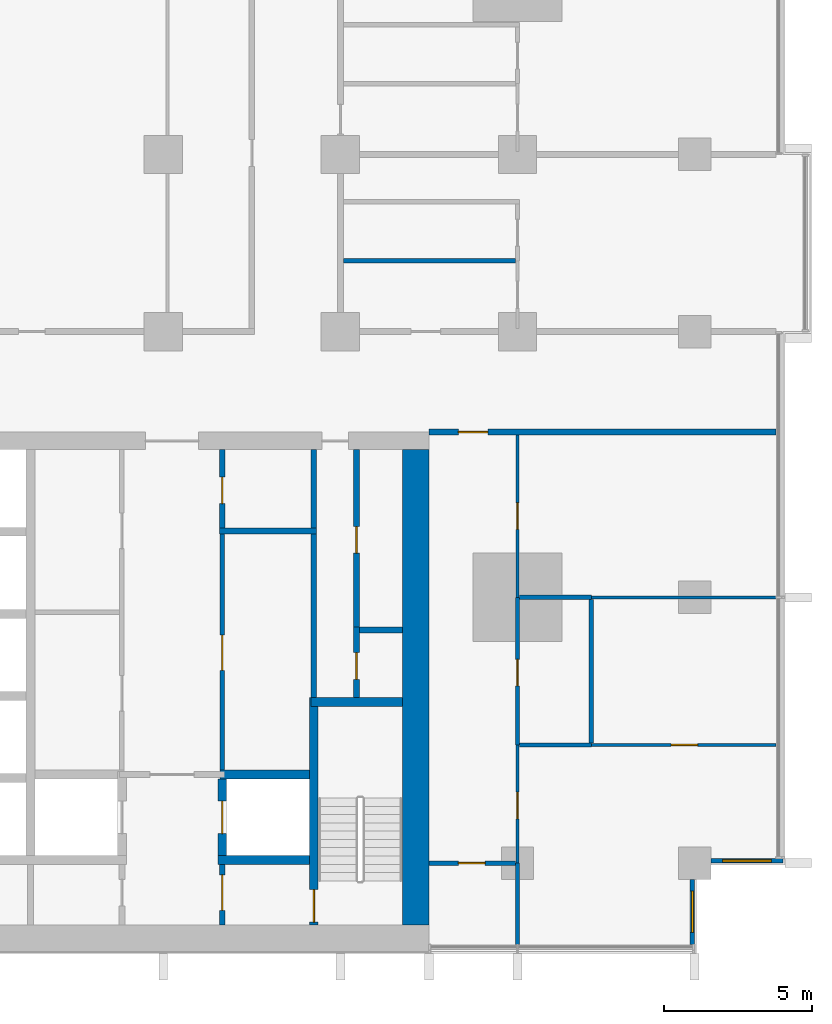
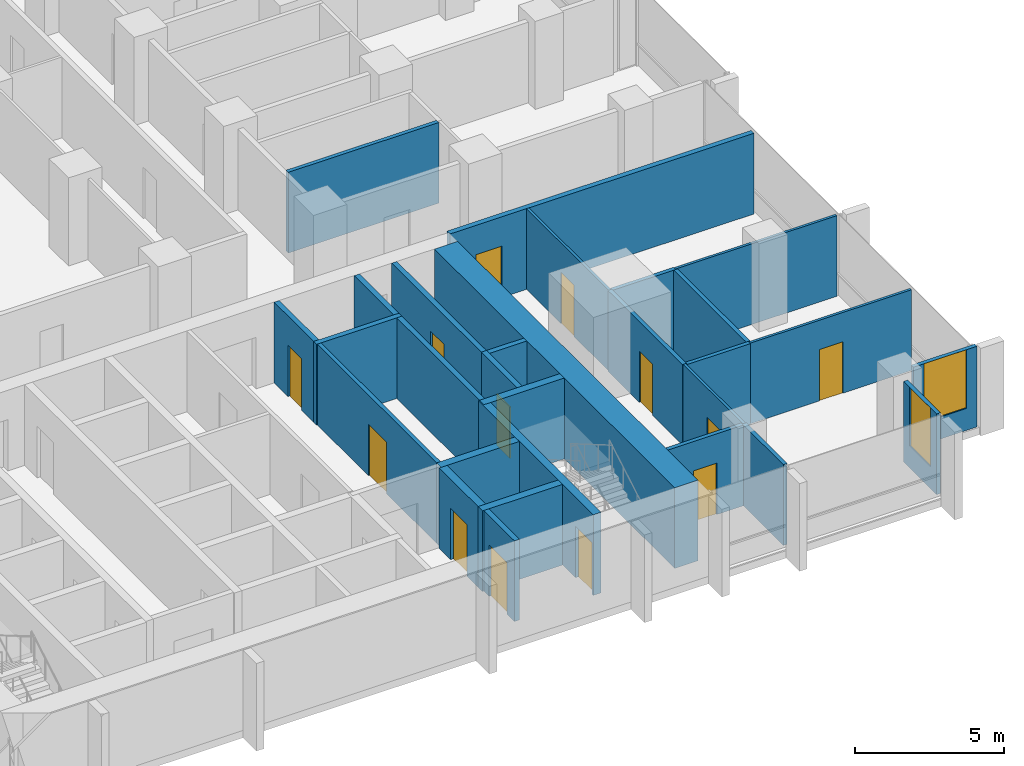
# One storey, part 9 of 18: 29 walls, 13 doors, 2 windows, 15 openings.
"""IFC4 building model written with IfcOpenShell, lengths in metres."""

from ifc_helpers import new_model, si_unit, direction, frame, frame_2d, origin, place, context, subcontext, project, spatial, rectangle, extrude, material, layer, layer_set, type_object, element, fill, save


model = new_model("IFC4")

# Units and contexts
model_context = context("Model", 3, precision=1e-05, world=origin(), true_north=direction((0.0, 1.0)))
body_context = subcontext(model_context, "Body", "Model", "MODEL_VIEW")
ifc_project = project(units=[si_unit("LENGTHUNIT", "METRE"), si_unit("AREAUNIT", "SQUARE_METRE"), si_unit("VOLUMEUNIT", "CUBIC_METRE"), si_unit("PLANEANGLEUNIT", "RADIAN"), si_unit("MASSUNIT", "GRAM", prefix="KILO")], contexts=[model_context])

# Site, building, storey
site_placement = place(None, origin())
site = spatial("IfcSite", under=ifc_project, at=site_placement, CompositionType="ELEMENT")
building_placement = place(site_placement, origin())
building = spatial("IfcBuilding", under=site, at=building_placement, Name="Finial Court Residences", CompositionType="ELEMENT")
storey_placement = place(building_placement, frame((0.0, 0.0, 57.699951171875)))
storey = spatial("IfcBuildingStorey", under=building, at=storey_placement, Name="L13", CompositionType="ELEMENT", Elevation=57.699951171875)

# Wall
ifc_material_1 = material(Name="Concrete C80/95", Category="concrete")
ifc_layer_1 = layer(ifc_material_1, 0.89990234375)
ifc_layer_set_1 = layer_set([ifc_layer_1], Name="Core outer wall 900 Concrete C80/95")
wall_type_1 = type_object("IfcWallType", Name="Core outer wall 900 Concrete C80/95", PredefinedType="SHEAR", material=ifc_layer_set_1)
wall_1_placement = place(storey_placement, frame((13.050048828125, -24.60009765625, 0.0), z_axis=(0.0, 0.0, 1.0), x_axis=(0.0, 1.0, 0.0)))
element("IfcWall", 1, at=wall_1_placement, inside=storey, type_object=wall_type_1, Name="Core outer wall L13-04", PredefinedType="SHEAR", context=body_context, shape_type="SweptSolid", body=[
    extrude(rectangle(XDim=16.10009765625, YDim=0.89990234375, at=frame_2d((8.050048828125, 0.0))), origin(), (0.0, 0.0, 1.0), 3.300048828125),
])

# Wall, opening, door
ifc_material_2 = material(Name="Fire-rated gypsum board partition")
ifc_layer_2 = layer(ifc_material_2, 0.14990234375)
ifc_layer_set_2 = layer_set([ifc_layer_2], Name="Core room partition 150 EI 60")
wall_type_2 = type_object("IfcWallType", Name="Core room partition 150 EI 60", PredefinedType="PARTITIONING", material=ifc_layer_set_2)
wall_2_placement = place(storey_placement, frame((6.5, -11.35009765625, 0.0), z_axis=(0.0, 0.0, 1.0), x_axis=(0.0, -1.0, 0.0)))
wall_2 = element("IfcWall", 2, at=wall_2_placement, inside=storey, type_object=wall_type_2, Name="Core partition L13-32", PredefinedType="PARTITIONING", context=body_context, shape_type="SweptSolid", body=[
    extrude(rectangle(XDim=8.0, YDim=0.14990234375, at=frame_2d((4.0, 0.0))), origin(), (0.0, 0.0, 1.0), 3.300048828125),
])
opening_1_placement = place(wall_2_placement, frame((3.425048828125, 0.0, 0.0)))
opening_1 = element("IfcOpeningElement", 3, at=opening_1_placement, cuts=wall_2, Name="Opening L13-C14", PredefinedType="OPENING", context=body_context, shape_type="SweptSolid", body=[
    extrude(rectangle(XDim=1.199951171875, YDim=2.10009765625, at=frame_2d((0.60009765625, 1.050048828125))), frame((0.0, 0.0849609375, 0.0), z_axis=(0.0, -1.0, 0.0), x_axis=(1.0, 0.0, 0.0)), (0.0, 0.0, 1.0), 0.169921875),
])
ifc_material_3 = material(Name="Steel fire door", Category="steel")
door_type_1 = type_object("IfcDoorType", Name="Core room door 1200 x 2100 EI 60", OperationType="NOTDEFINED", PredefinedType="DOOR", material=ifc_material_3)
door_1_placement = place(opening_1_placement, origin())
door_1 = element("IfcDoor", 4, at=door_1_placement, inside=storey, type_object=door_type_1, Name="Core room door L13-C14", OperationType="SINGLE_SWING_RIGHT", OverallHeight=2.10009765625, OverallWidth=1.199951171875, PredefinedType="DOOR", context=body_context, shape_type="SweptSolid", body=[
    extrude(rectangle(XDim=1.199951171875, YDim=2.10009765625, at=frame_2d((0.60009765625, 1.050048828125))), frame((0.0, 0.02490234375, 0.0), z_axis=(0.0, -1.0, 0.0), x_axis=(1.0, 0.0, 0.0)), (0.0, 0.0, 1.0), 0.050048828125),
])
fill(opening_1, door_1)

ifc_material_4 = material(Name="Gypsum board")
ifc_layer_3 = layer(ifc_material_4, 0.02490234375)
ifc_material_5 = material(Name="Acoustic mineral wool in double frame")
ifc_layer_4 = layer(ifc_material_5, 0.14990234375)
ifc_layer_5 = layer(ifc_material_4, 0.02490234375)
ifc_layer_set_3 = layer_set([ifc_layer_3, ifc_layer_4, ifc_layer_5], Name="Corridor wall 200, 1 hour")
wall_type_3 = type_object("IfcWallType", Name="Corridor wall 200, 1 hour", PredefinedType="PARTITIONING", material=ifc_layer_set_3)
wall_3_placement = place(storey_placement, frame((13.5, -7.89990234375, 0.0), z_axis=(0.0, 0.0, 1.0), x_axis=(1.0, 0.0, 0.0)))
wall_3 = element("IfcWall", 5, at=wall_3_placement, inside=storey, type_object=wall_type_3, Name="Partition L13-011", PredefinedType="PARTITIONING", context=body_context, shape_type="SweptSolid", body=[
    extrude(rectangle(XDim=11.75, YDim=0.199951171875, at=frame_2d((5.875, 0.0))), origin(), (0.0, 0.0, 1.0), 3.300048828125),
])
opening_2_placement = place(wall_3_placement, frame((1.0, 0.0, 0.0)))
opening_2 = element("IfcOpeningElement", 6, at=opening_2_placement, cuts=wall_3, Name="Opening L13-D006", PredefinedType="OPENING", context=body_context, shape_type="SweptSolid", body=[
    extrude(rectangle(XDim=1.0, YDim=2.10009765625, at=frame_2d((0.5, 1.050048828125))), frame((0.0, 0.10986328125, 0.0), z_axis=(0.0, -1.0, 0.0), x_axis=(1.0, 0.0, 0.0)), (0.0, 0.0, 1.0), 0.219970703125),
])
ifc_material_6 = material(Name="Timber door leaf in hollow metal frame", Category="wood")
door_type_2 = type_object("IfcDoorType", Name="Fire door set 1000 x 2100, 30 minutes", OperationType="SINGLE_SWING_LEFT", PredefinedType="DOOR", material=ifc_material_6)
door_2_placement = place(opening_2_placement, origin())
door_2 = element("IfcDoor", 7, at=door_2_placement, inside=storey, type_object=door_type_2, Name="Door L13-D006", OperationType="SINGLE_SWING_LEFT", OverallHeight=2.10009765625, OverallWidth=1.0, PredefinedType="DOOR", context=body_context, shape_type="SweptSolid", body=[
    extrude(rectangle(XDim=1.0, YDim=2.10009765625, at=frame_2d((0.5, 1.050048828125))), frame((0.0, 0.02490234375, 0.0), z_axis=(0.0, -1.0, 0.0), x_axis=(1.0, 0.0, 0.0)), (0.0, 0.0, 1.0), 0.050048828125),
])
fill(opening_2, door_2)

ifc_layer_6 = layer(ifc_material_2, 0.199951171875)
ifc_layer_set_4 = layer_set([ifc_layer_6], Name="Firefighting lobby wall 200 EI 120")
wall_type_4 = type_object("IfcWallType", Name="Firefighting lobby wall 200 EI 120", PredefinedType="PARTITIONING", material=ifc_layer_set_4)
wall_4_placement = place(storey_placement, frame((6.5, -22.550048828125, 0.0), z_axis=(0.0, 0.0, 1.0), x_axis=(0.0, -1.0, 0.0)))
wall_4 = element("IfcWall", 8, at=wall_4_placement, inside=storey, type_object=wall_type_4, Name="Core partition L13-30", PredefinedType="PARTITIONING", context=body_context, shape_type="SweptSolid", body=[
    extrude(rectangle(XDim=2.050048828125, YDim=0.199951171875, at=frame_2d((1.02490234375, 0.0))), origin(), (0.0, 0.0, 1.0), 3.300048828125),
])
opening_3_placement = place(wall_4_placement, frame((0.35009765625, 0.0, 0.0)))
opening_3 = element("IfcOpeningElement", 9, at=opening_3_placement, cuts=wall_4, Name="Opening L13-C01", PredefinedType="OPENING", context=body_context, shape_type="SweptSolid", body=[
    extrude(rectangle(XDim=1.199951171875, YDim=2.10009765625, at=frame_2d((0.60009765625, 1.050048828125))), frame((0.0, 0.10986328125, 0.0), z_axis=(0.0, -1.0, 0.0), x_axis=(1.0, 0.0, 0.0)), (0.0, 0.0, 1.0), 0.219970703125),
])
door_type_3 = type_object("IfcDoorType", Name="Firefighting lobby door 1200 x 2100 EI 90", OperationType="NOTDEFINED", PredefinedType="DOOR", material=ifc_material_3)
door_3_placement = place(opening_3_placement, origin())
door_3 = element("IfcDoor", 10, at=door_3_placement, inside=storey, type_object=door_type_3, Name="Firefighting lobby door L13-C01", OperationType="SINGLE_SWING_RIGHT", OverallHeight=2.10009765625, OverallWidth=1.199951171875, PredefinedType="DOOR", context=body_context, shape_type="SweptSolid", body=[
    extrude(rectangle(XDim=1.199951171875, YDim=2.10009765625, at=frame_2d((0.60009765625, 1.050048828125))), frame((0.0, 0.02490234375, 0.0), z_axis=(0.0, -1.0, 0.0), x_axis=(1.0, 0.0, 0.0)), (0.0, 0.0, 1.0), 0.050048828125),
])
fill(opening_3, door_3)

ifc_layer_7 = layer(ifc_material_4, 0.012451171875)
ifc_material_7 = material(Name="Mineral wool in light-gauge frame")
ifc_layer_8 = layer(ifc_material_7, 0.074951171875)
ifc_layer_9 = layer(ifc_material_4, 0.012451171875)
ifc_layer_set_5 = layer_set([ifc_layer_7, ifc_layer_8, ifc_layer_9], Name="Gypsum board partition 100")
wall_type_5 = type_object("IfcWallType", Name="Gypsum board partition 100", PredefinedType="PARTITIONING", material=ifc_layer_set_5)
wall_5_placement = place(storey_placement, frame((19.0, -18.5, 0.0), z_axis=(0.0, 0.0, 1.0), x_axis=(1.0, 0.0, 0.0)))
wall_5 = element("IfcWall", 11, at=wall_5_placement, inside=storey, type_object=wall_type_5, Name="Partition L13-003", PredefinedType="PARTITIONING", context=body_context, shape_type="SweptSolid", body=[
    extrude(rectangle(XDim=6.25, YDim=0.10009765625, at=frame_2d((3.125, 0.0))), origin(), (0.0, 0.0, 1.0), 3.300048828125),
])
opening_4_placement = place(wall_5_placement, frame((2.699951171875, 0.0, 0.0)))
opening_4 = element("IfcOpeningElement", 12, at=opening_4_placement, cuts=wall_5, Name="Opening L13-D004", PredefinedType="OPENING", context=body_context, shape_type="SweptSolid", body=[
    extrude(rectangle(XDim=0.89990234375, YDim=2.10009765625, at=frame_2d((0.449951171875, 1.050048828125))), frame((0.0, 0.06005859375, 0.0), z_axis=(0.0, -1.0, 0.0), x_axis=(1.0, 0.0, 0.0)), (0.0, 0.0, 1.0), 0.1201171875),
])
ifc_material_8 = material(Name="Timber door leaf in timber frame", Category="wood")
door_type_4 = type_object("IfcDoorType", Name="Door set 900 x 2100", OperationType="SINGLE_SWING_LEFT", PredefinedType="DOOR", material=ifc_material_8)
door_4_placement = place(opening_4_placement, origin())
door_4 = element("IfcDoor", 13, at=door_4_placement, inside=storey, type_object=door_type_4, Name="Door L13-D004", OperationType="SINGLE_SWING_LEFT", OverallHeight=2.10009765625, OverallWidth=0.89990234375, PredefinedType="DOOR", context=body_context, shape_type="SweptSolid", body=[
    extrude(rectangle(XDim=0.89990234375, YDim=2.10009765625, at=frame_2d((0.449951171875, 1.050048828125))), frame((0.0, 0.02490234375, 0.0), z_axis=(0.0, -1.0, 0.0), x_axis=(1.0, 0.0, 0.0)), (0.0, 0.0, 1.0), 0.050048828125),
])
fill(opening_4, door_4)

# Wall
wall_6_placement = place(storey_placement, frame((19.0, -13.5, 0.0), z_axis=(0.0, 0.0, 1.0), x_axis=(1.0, 0.0, 0.0)))
element("IfcWall", 14, at=wall_6_placement, inside=storey, type_object=wall_type_5, Name="Partition L13-007", PredefinedType="PARTITIONING", context=body_context, shape_type="SweptSolid", body=[
    extrude(rectangle(XDim=6.25, YDim=0.10009765625, at=frame_2d((3.125, 0.0))), origin(), (0.0, 0.0, 1.0), 3.300048828125),
])

# Wall, opening, door
wall_7_placement = place(storey_placement, frame((16.5, -22.5, 0.0), z_axis=(0.0, 0.0, 1.0), x_axis=(0.0, 1.0, 0.0)))
wall_7 = element("IfcWall", 15, at=wall_7_placement, inside=storey, type_object=wall_type_5, Name="Partition L13-094", PredefinedType="PARTITIONING", context=body_context, shape_type="SweptSolid", body=[
    extrude(rectangle(XDim=4.0, YDim=0.10009765625, at=frame_2d((2.0, 0.0))), origin(), (0.0, 0.0, 1.0), 3.300048828125),
])
opening_5_placement = place(wall_7_placement, frame((1.5, 0.0, 0.0)))
opening_5 = element("IfcOpeningElement", 16, at=opening_5_placement, cuts=wall_7, Name="Opening L13-D054", PredefinedType="OPENING", context=body_context, shape_type="SweptSolid", body=[
    extrude(rectangle(XDim=0.89990234375, YDim=2.10009765625, at=frame_2d((0.449951171875, 1.050048828125))), frame((0.0, 0.06005859375, 0.0), z_axis=(0.0, -1.0, 0.0), x_axis=(1.0, 0.0, 0.0)), (0.0, 0.0, 1.0), 0.1201171875),
])
door_5_placement = place(opening_5_placement, origin())
door_5 = element("IfcDoor", 17, at=door_5_placement, inside=storey, type_object=door_type_4, Name="Door L13-D054", OperationType="SINGLE_SWING_LEFT", OverallHeight=2.10009765625, OverallWidth=0.89990234375, PredefinedType="DOOR", context=body_context, shape_type="SweptSolid", body=[
    extrude(rectangle(XDim=0.89990234375, YDim=2.10009765625, at=frame_2d((0.449951171875, 1.050048828125))), frame((0.0, 0.02490234375, 0.0), z_axis=(0.0, -1.0, 0.0), x_axis=(1.0, 0.0, 0.0)), (0.0, 0.0, 1.0), 0.050048828125),
])
fill(opening_5, door_5)

wall_8_placement = place(storey_placement, frame((16.5, -13.5, 0.0), z_axis=(0.0, 0.0, 1.0), x_axis=(0.0, 1.0, 0.0)))
wall_8 = element("IfcWall", 18, at=wall_8_placement, inside=storey, type_object=wall_type_5, Name="Partition L13-095", PredefinedType="PARTITIONING", context=body_context, shape_type="SweptSolid", body=[
    extrude(rectangle(XDim=5.5, YDim=0.10009765625, at=frame_2d((2.75, 0.0))), origin(), (0.0, 0.0, 1.0), 3.300048828125),
])
opening_6_placement = place(wall_8_placement, frame((2.300048828125, 0.0, 0.0)))
opening_6 = element("IfcOpeningElement", 19, at=opening_6_placement, cuts=wall_8, Name="Opening L13-D055", PredefinedType="OPENING", context=body_context, shape_type="SweptSolid", body=[
    extrude(rectangle(XDim=0.89990234375, YDim=2.10009765625, at=frame_2d((0.449951171875, 1.050048828125))), frame((0.0, 0.06005859375, 0.0), z_axis=(0.0, -1.0, 0.0), x_axis=(1.0, 0.0, 0.0)), (0.0, 0.0, 1.0), 0.1201171875),
])
door_6_placement = place(opening_6_placement, origin())
door_6 = element("IfcDoor", 20, at=door_6_placement, inside=storey, type_object=door_type_4, Name="Door L13-D055", OperationType="SINGLE_SWING_LEFT", OverallHeight=2.10009765625, OverallWidth=0.89990234375, PredefinedType="DOOR", context=body_context, shape_type="SweptSolid", body=[
    extrude(rectangle(XDim=0.89990234375, YDim=2.10009765625, at=frame_2d((0.449951171875, 1.050048828125))), frame((0.0, 0.02490234375, 0.0), z_axis=(0.0, -1.0, 0.0), x_axis=(1.0, 0.0, 0.0)), (0.0, 0.0, 1.0), 0.050048828125),
])
fill(opening_6, door_6)

ifc_material_9 = material(Name="Moisture-resistant gypsum board")
ifc_layer_10 = layer(ifc_material_9, 0.012451171875)
ifc_layer_11 = layer(ifc_material_7, 0.125)
ifc_layer_12 = layer(ifc_material_9, 0.012451171875)
ifc_layer_set_6 = layer_set([ifc_layer_10, ifc_layer_11, ifc_layer_12], Name="Gypsum board wet-area partition 150")
wall_type_6 = type_object("IfcWallType", Name="Gypsum board wet-area partition 150", PredefinedType="PARTITIONING", material=ifc_layer_set_6)
wall_9_placement = place(storey_placement, frame((13.5, -22.5, 0.0), z_axis=(0.0, 0.0, 1.0), x_axis=(1.0, 0.0, 0.0)))
wall_9 = element("IfcWall", 21, at=wall_9_placement, inside=storey, type_object=wall_type_6, Name="Partition L13-001", PredefinedType="PARTITIONING", context=body_context, shape_type="SweptSolid", body=[
    extrude(rectangle(XDim=2.925048828125, YDim=0.14990234375, at=frame_2d((1.46240234375, 0.0))), origin(), (0.0, 0.0, 1.0), 3.300048828125),
])
opening_7_placement = place(wall_9_placement, frame((1.0, 0.0, 0.0)))
opening_7 = element("IfcOpeningElement", 22, at=opening_7_placement, cuts=wall_9, Name="Opening L13-D002", PredefinedType="OPENING", context=body_context, shape_type="SweptSolid", body=[
    extrude(rectangle(XDim=0.89990234375, YDim=2.10009765625, at=frame_2d((0.449951171875, 1.050048828125))), frame((0.0, 0.0849609375, 0.0), z_axis=(0.0, -1.0, 0.0), x_axis=(1.0, 0.0, 0.0)), (0.0, 0.0, 1.0), 0.169921875),
])
door_7_placement = place(opening_7_placement, origin())
door_7 = element("IfcDoor", 23, at=door_7_placement, inside=storey, type_object=door_type_4, Name="Door L13-D002", OperationType="SINGLE_SWING_RIGHT", OverallHeight=2.10009765625, OverallWidth=0.89990234375, PredefinedType="DOOR", context=body_context, shape_type="SweptSolid", body=[
    extrude(rectangle(XDim=0.89990234375, YDim=2.10009765625, at=frame_2d((0.449951171875, 1.050048828125))), frame((0.0, 0.02490234375, 0.0), z_axis=(0.0, -1.0, 0.0), x_axis=(1.0, 0.0, 0.0)), (0.0, 0.0, 1.0), 0.050048828125),
])
fill(opening_7, door_7)

# Walls
for number, where, z_axis, x_axis, name in (
    (24, (16.574951171875, -18.5, 0.0), (0.0, 0.0, 1.0), (1.0, 0.0, 0.0), "Partition L13-005"),
    (25, (16.574951171875, -13.5, 0.0), (0.0, 0.0, 1.0), (1.0, 0.0, 0.0), "Partition L13-009"),
):
    element("IfcWall", number, at=place(storey_placement, frame(where, z_axis=z_axis, x_axis=x_axis)), inside=storey, type_object=wall_type_6, Name=name, PredefinedType="PARTITIONING", context=body_context, shape_type="SweptSolid", body=[
        extrude(rectangle(XDim=2.425048828125, YDim=0.14990234375, at=frame_2d((1.21240234375, 0.0))), origin(), (0.0, 0.0, 1.0), 3.300048828125),
    ])
wall_10_placement = place(storey_placement, frame((10.60009765625, -2.10009765625, 0.0), z_axis=(0.0, 0.0, 1.0), x_axis=(1.0, 0.0, 0.0)))
element("IfcWall", 26, at=wall_10_placement, inside=storey, type_object=wall_type_6, Name="Partition L13-016", PredefinedType="PARTITIONING", context=body_context, shape_type="SweptSolid", body=[
    extrude(rectangle(XDim=5.824951171875, YDim=0.14990234375, at=frame_2d((2.91259765625, 0.0))), origin(), (0.0, 0.0, 1.0), 3.300048828125),
])
wall_11_placement = place(storey_placement, frame((16.5, -25.25, 0.0), z_axis=(0.0, 0.0, 1.0), x_axis=(0.0, 1.0, 0.0)))
element("IfcWall", 27, at=wall_11_placement, inside=storey, type_object=wall_type_6, Name="Partition L13-100", PredefinedType="PARTITIONING", context=body_context, shape_type="SweptSolid", body=[
    extrude(rectangle(XDim=2.75, YDim=0.14990234375, at=frame_2d((1.375, 0.0))), origin(), (0.0, 0.0, 1.0), 3.300048828125),
])

# Wall, opening, door
wall_12_placement = place(storey_placement, frame((16.5, -18.5, 0.0), z_axis=(0.0, 0.0, 1.0), x_axis=(0.0, 1.0, 0.0)))
wall_12 = element("IfcWall", 28, at=wall_12_placement, inside=storey, type_object=wall_type_6, Name="Partition L13-101", PredefinedType="PARTITIONING", context=body_context, shape_type="SweptSolid", body=[
    extrude(rectangle(XDim=5.0, YDim=0.14990234375, at=frame_2d((2.5, 0.0))), origin(), (0.0, 0.0, 1.0), 3.300048828125),
])
opening_8_placement = place(wall_12_placement, frame((2.0, 0.0, 0.0)))
opening_8 = element("IfcOpeningElement", 29, at=opening_8_placement, cuts=wall_12, Name="Opening L13-D058", PredefinedType="OPENING", context=body_context, shape_type="SweptSolid", body=[
    extrude(rectangle(XDim=0.89990234375, YDim=2.10009765625, at=frame_2d((0.449951171875, 1.050048828125))), frame((0.0, 0.0849609375, 0.0), z_axis=(0.0, -1.0, 0.0), x_axis=(1.0, 0.0, 0.0)), (0.0, 0.0, 1.0), 0.169921875),
])
door_8_placement = place(opening_8_placement, origin())
door_8 = element("IfcDoor", 30, at=door_8_placement, inside=storey, type_object=door_type_4, Name="Door L13-D058", OperationType="SINGLE_SWING_RIGHT", OverallHeight=2.10009765625, OverallWidth=0.89990234375, PredefinedType="DOOR", context=body_context, shape_type="SweptSolid", body=[
    extrude(rectangle(XDim=0.89990234375, YDim=2.10009765625, at=frame_2d((0.449951171875, 1.050048828125))), frame((0.0, 0.02490234375, 0.0), z_axis=(0.0, -1.0, 0.0), x_axis=(1.0, 0.0, 0.0)), (0.0, 0.0, 1.0), 0.050048828125),
])
fill(opening_8, door_8)

# Walls
wall_13_placement = place(storey_placement, frame((19.0, -18.425048828125, 0.0), z_axis=(0.0, 0.0, 1.0), x_axis=(0.0, 1.0, 0.0)))
element("IfcWall", 31, at=wall_13_placement, inside=storey, type_object=wall_type_6, Name="Partition L13-105", PredefinedType="PARTITIONING", context=body_context, shape_type="SweptSolid", body=[
    extrude(rectangle(XDim=4.85009765625, YDim=0.14990234375, at=frame_2d((2.425048828125, 0.0))), origin(), (0.0, 0.0, 1.0), 3.300048828125),
])
ifc_layer_13 = layer(ifc_material_1, 0.300048828125)
ifc_layer_set_7 = layer_set([ifc_layer_13], Name="Lift shaft and stair wall 300 Concrete C80/95")
wall_type_7 = type_object("IfcWallType", Name="Lift shaft and stair wall 300 Concrete C80/95", PredefinedType="SHEAR", material=ifc_layer_set_7)
wall_14_placement = place(storey_placement, frame((6.35009765625, -22.39990234375, 0.0), z_axis=(0.0, 0.0, 1.0), x_axis=(1.0, 0.0, 0.0)))
element("IfcWall", 32, at=wall_14_placement, inside=storey, type_object=wall_type_7, Name="Core wall L13-04", PredefinedType="SHEAR", context=body_context, shape_type="SweptSolid", body=[
    extrude(rectangle(XDim=3.099853515625, YDim=0.300048828125, at=frame_2d((1.5498046875, 0.0))), origin(), (0.0, 0.0, 1.0), 3.300048828125),
])
wall_15_placement = place(storey_placement, frame((6.425048828125, -19.5, 0.0), z_axis=(0.0, 0.0, 1.0), x_axis=(1.0, 0.0, 0.0)))
element("IfcWall", 33, at=wall_15_placement, inside=storey, type_object=wall_type_7, Name="Core wall L13-09", PredefinedType="SHEAR", context=body_context, shape_type="SweptSolid", body=[
    extrude(rectangle(XDim=3.02490234375, YDim=0.300048828125, at=frame_2d((1.512451171875, 0.0))), origin(), (0.0, 0.0, 1.0), 3.300048828125),
])
wall_16_placement = place(storey_placement, frame((9.5, -17.050048828125, 0.0), z_axis=(0.0, 0.0, 1.0), x_axis=(1.0, 0.0, 0.0)))
element("IfcWall", 34, at=wall_16_placement, inside=storey, type_object=wall_type_7, Name="Core wall L13-11", PredefinedType="SHEAR", context=body_context, shape_type="SweptSolid", body=[
    extrude(rectangle(XDim=3.10009765625, YDim=0.300048828125, at=frame_2d((1.550048828125, 0.0))), origin(), (0.0, 0.0, 1.0), 3.300048828125),
])

# Wall, opening, door
wall_17_placement = place(storey_placement, frame((6.5, -22.25, 0.0), z_axis=(0.0, 0.0, 1.0), x_axis=(0.0, 1.0, 0.0)))
wall_17 = element("IfcWall", 35, at=wall_17_placement, inside=storey, type_object=wall_type_7, Name="Core wall L13-31", PredefinedType="SHEAR", context=body_context, shape_type="SweptSolid", body=[
    extrude(rectangle(XDim=2.60009765625, YDim=0.300048828125, at=frame_2d((1.300048828125, 0.0))), origin(), (0.0, 0.0, 1.0), 3.300048828125),
])
opening_9_placement = place(wall_17_placement, frame((0.75, 0.0, 0.0)))
opening_9 = element("IfcOpeningElement", 36, at=opening_9_placement, cuts=wall_17, Name="Opening L13-LD02", PredefinedType="OPENING", context=body_context, shape_type="SweptSolid", body=[
    extrude(rectangle(XDim=1.10009765625, YDim=2.10009765625, at=frame_2d((0.550048828125, 1.050048828125))), frame((0.0, 0.159912109375, 0.0), z_axis=(0.0, -1.0, 0.0), x_axis=(1.0, 0.0, 0.0)), (0.0, 0.0, 1.0), 0.320068359375),
])
ifc_material_10 = material(Name="Stainless steel lift door", Category="steel")
door_type_5 = type_object("IfcDoorType", Name="Lift landing door 1100 x 2100 EI 90", OperationType="DOUBLE_DOOR_SLIDING", PredefinedType="DOOR", material=ifc_material_10)
door_9_placement = place(opening_9_placement, origin())
door_9 = element("IfcDoor", 37, at=door_9_placement, inside=storey, type_object=door_type_5, Name="Lift landing door FF2 L13", OperationType="DOUBLE_DOOR_SLIDING", OverallHeight=2.10009765625, OverallWidth=1.10009765625, PredefinedType="DOOR", context=body_context, shape_type="SweptSolid", body=[
    extrude(rectangle(XDim=1.10009765625, YDim=2.10009765625, at=frame_2d((0.550048828125, 1.050048828125))), frame((0.0, 0.02490234375, 0.0), z_axis=(0.0, -1.0, 0.0), x_axis=(1.0, 0.0, 0.0)), (0.0, 0.0, 1.0), 0.050048828125),
])
fill(opening_9, door_9)

wall_18_placement = place(storey_placement, frame((9.60009765625, -16.89990234375, 0.0), z_axis=(0.0, 0.0, 1.0), x_axis=(0.0, -1.0, 0.0)))
wall_18 = element("IfcWall", 38, at=wall_18_placement, inside=storey, type_object=wall_type_7, Name="Core wall L13-34", PredefinedType="SHEAR", context=body_context, shape_type="SweptSolid", body=[
    extrude(rectangle(XDim=7.7001953125, YDim=0.300048828125, at=frame_2d((3.85009765625, 0.0))), origin(), (0.0, 0.0, 1.0), 3.300048828125),
])
opening_10_placement = place(wall_18_placement, frame((6.5, 0.0, 0.0)))
opening_10 = element("IfcOpeningElement", 39, at=opening_10_placement, cuts=wall_18, Name="Opening L13-C16", PredefinedType="OPENING", context=body_context, shape_type="SweptSolid", body=[
    extrude(rectangle(XDim=1.10009765625, YDim=2.10009765625, at=frame_2d((0.550048828125, 1.050048828125))), frame((0.0, 0.159912109375, 0.0), z_axis=(0.0, -1.0, 0.0), x_axis=(1.0, 0.0, 0.0)), (0.0, 0.0, 1.0), 0.320068359375),
])
door_type_6 = type_object("IfcDoorType", Name="Stair door 1100 x 2100 EI 90", OperationType="NOTDEFINED", PredefinedType="DOOR", material=ifc_material_3)
door_10_placement = place(opening_10_placement, origin())
door_10 = element("IfcDoor", 40, at=door_10_placement, inside=storey, type_object=door_type_6, Name="Stair door L13-C16", OperationType="SINGLE_SWING_RIGHT", OverallHeight=2.10009765625, OverallWidth=1.10009765625, PredefinedType="DOOR", context=body_context, shape_type="SweptSolid", body=[
    extrude(rectangle(XDim=1.10009765625, YDim=2.10009765625, at=frame_2d((0.550048828125, 1.050048828125))), frame((0.0, 0.02490234375, 0.0), z_axis=(0.0, -1.0, 0.0), x_axis=(1.0, 0.0, 0.0)), (0.0, 0.0, 1.0), 0.050048828125),
])
fill(opening_10, door_10)

# Wall, opening, window
ifc_material_11 = material(Name="Natural limestone", Category="masonry")
ifc_layer_14 = layer(ifc_material_11, 0.14990234375)
ifc_layer_set_8 = layer_set([ifc_layer_14], Name="Limestone clad wall 150")
wall_type_8 = type_object("IfcWallType", Name="Limestone clad wall 150", PredefinedType="SOLIDWALL", material=ifc_layer_set_8)
wall_19_placement = place(storey_placement, frame((22.425048828125, -23.050048828125, 0.0), z_axis=(0.0, 0.0, 1.0), x_axis=(0.0, -1.0, 0.0)))
wall_19 = element("IfcWall", 41, at=wall_19_placement, inside=storey, type_object=wall_type_8, Name="E-L13-NWE15", PredefinedType="SOLIDWALL", context=body_context, shape_type="SweptSolid", body=[
    extrude(rectangle(XDim=2.199951171875, YDim=0.14990234375, at=frame_2d((1.10009765625, 0.0))), origin(), (0.0, 0.0, 1.0), 3.300048828125),
])
opening_11_placement = place(wall_19_placement, frame((0.39990234375, 0.0, 0.89990234375)))
opening_11 = element("IfcOpeningElement", 42, at=opening_11_placement, cuts=wall_19, Name="Opening WE13-03", PredefinedType="OPENING", context=body_context, shape_type="SweptSolid", body=[
    extrude(rectangle(XDim=1.39990234375, YDim=2.39990234375, at=frame_2d((0.699951171875, 1.199951171875))), frame((0.0, 0.0849609375, 0.0), z_axis=(0.0, -1.0, 0.0), x_axis=(1.0, 0.0, 0.0)), (0.0, 0.0, 1.0), 0.169921875),
])
ifc_material_12 = material(Name="Clear low-e glass", Category="glass")
window_type_1 = type_object("IfcWindowType", Name="Corner window 1400 x 2400", PartitioningType="SINGLE_PANEL", PredefinedType="WINDOW", material=ifc_material_12)
window_1_placement = place(opening_11_placement, origin())
window_1 = element("IfcWindow", 43, at=window_1_placement, inside=storey, type_object=window_type_1, Name="E-L13-NWE15-W1", OverallHeight=2.39990234375, OverallWidth=1.39990234375, PartitioningType="SINGLE_PANEL", PredefinedType="WINDOW", context=body_context, shape_type="SweptSolid", body=[
    extrude(rectangle(XDim=1.39990234375, YDim=2.39990234375, at=frame_2d((0.699951171875, 1.199951171875))), frame((0.0, 0.030029296875, 0.0), z_axis=(0.0, -1.0, 0.0), x_axis=(1.0, 0.0, 0.0)), (0.0, 0.0, 1.0), 0.06005859375),
])
fill(opening_11, window_1)

wall_20_placement = place(storey_placement, frame((25.5, -22.425048828125, 0.0), z_axis=(0.0, 0.0, 1.0), x_axis=(-1.0, 0.0, 0.0)))
wall_20 = element("IfcWall", 44, at=wall_20_placement, inside=storey, type_object=wall_type_8, Name="E-L13-NWS16", PredefinedType="SOLIDWALL", context=body_context, shape_type="SweptSolid", body=[
    extrude(rectangle(XDim=2.449951171875, YDim=0.14990234375, at=frame_2d((1.22509765625, 0.0))), origin(), (0.0, 0.0, 1.0), 3.300048828125),
])
opening_12_placement = place(wall_20_placement, frame((0.39990234375, 0.0, 0.89990234375)))
opening_12 = element("IfcOpeningElement", 45, at=opening_12_placement, cuts=wall_20, Name="Opening WE13-04", PredefinedType="OPENING", context=body_context, shape_type="SweptSolid", body=[
    extrude(rectangle(XDim=1.64990234375, YDim=2.39990234375, at=frame_2d((0.824951171875, 1.199951171875))), frame((0.0, 0.0849609375, 0.0), z_axis=(0.0, -1.0, 0.0), x_axis=(1.0, 0.0, 0.0)), (0.0, 0.0, 1.0), 0.169921875),
])
window_type_2 = type_object("IfcWindowType", Name="Corner window 1650 x 2400", PartitioningType="SINGLE_PANEL", PredefinedType="WINDOW", material=ifc_material_12)
window_2_placement = place(opening_12_placement, origin())
window_2 = element("IfcWindow", 46, at=window_2_placement, inside=storey, type_object=window_type_2, Name="E-L13-NWS16-W1", OverallHeight=2.39990234375, OverallWidth=1.64990234375, PartitioningType="SINGLE_PANEL", PredefinedType="WINDOW", context=body_context, shape_type="SweptSolid", body=[
    extrude(rectangle(XDim=1.64990234375, YDim=2.39990234375, at=frame_2d((0.824951171875, 1.199951171875))), frame((0.0, 0.030029296875, 0.0), z_axis=(0.0, -1.0, 0.0), x_axis=(1.0, 0.0, 0.0)), (0.0, 0.0, 1.0), 0.06005859375),
])
fill(opening_12, window_2)

# Walls
ifc_layer_15 = layer(ifc_material_2, 0.199951171875)
ifc_layer_set_9 = layer_set([ifc_layer_15], Name="Riser room wall 200 EI 120")
wall_type_9 = type_object("IfcWallType", Name="Riser room wall 200 EI 120", PredefinedType="PARTITIONING", material=ifc_layer_set_9)
wall_21_placement = place(storey_placement, frame((11.14990234375, -14.60009765625, 0.0), z_axis=(0.0, 0.0, 1.0), x_axis=(1.0, 0.0, 0.0)))
element("IfcWall", 47, at=wall_21_placement, inside=storey, type_object=wall_type_9, Name="Core partition L13-14", PredefinedType="PARTITIONING", context=body_context, shape_type="SweptSolid", body=[
    extrude(rectangle(XDim=1.4501953125, YDim=0.199951171875, at=frame_2d((0.72509765625, 0.0))), origin(), (0.0, 0.0, 1.0), 3.300048828125),
])
wall_22_placement = place(storey_placement, frame((6.39990234375, -11.25, 0.0), z_axis=(0.0, 0.0, 1.0), x_axis=(1.0, 0.0, 0.0)))
element("IfcWall", 48, at=wall_22_placement, inside=storey, type_object=wall_type_9, Name="Core partition L13-20", PredefinedType="PARTITIONING", context=body_context, shape_type="SweptSolid", body=[
    extrude(rectangle(XDim=3.300048828125, YDim=0.199951171875, at=frame_2d((1.64990234375, 0.0))), origin(), (0.0, 0.0, 1.0), 3.300048828125),
])

# Wall, opening, door
wall_23_placement = place(storey_placement, frame((6.5, -8.5, 0.0), z_axis=(0.0, 0.0, 1.0), x_axis=(0.0, -1.0, 0.0)))
wall_23 = element("IfcWall", 49, at=wall_23_placement, inside=storey, type_object=wall_type_9, Name="Core partition L13-33", PredefinedType="PARTITIONING", context=body_context, shape_type="SweptSolid", body=[
    extrude(rectangle(XDim=2.64990234375, YDim=0.199951171875, at=frame_2d((1.324951171875, 0.0))), origin(), (0.0, 0.0, 1.0), 3.300048828125),
])
opening_13_placement = place(wall_23_placement, frame((0.925048828125, 0.0, 0.0)))
opening_13 = element("IfcOpeningElement", 50, at=opening_13_placement, cuts=wall_23, Name="Opening L13-C08", PredefinedType="OPENING", context=body_context, shape_type="SweptSolid", body=[
    extrude(rectangle(XDim=0.89990234375, YDim=2.10009765625, at=frame_2d((0.449951171875, 1.050048828125))), frame((0.0, 0.10986328125, 0.0), z_axis=(0.0, -1.0, 0.0), x_axis=(1.0, 0.0, 0.0)), (0.0, 0.0, 1.0), 0.219970703125),
])
door_type_7 = type_object("IfcDoorType", Name="Riser room door 900 x 2100 EI 90", OperationType="NOTDEFINED", PredefinedType="DOOR", material=ifc_material_3)
door_11_placement = place(opening_13_placement, origin())
door_11 = element("IfcDoor", 51, at=door_11_placement, inside=storey, type_object=door_type_7, Name="Riser room door L13-C08", OperationType="SINGLE_SWING_RIGHT", OverallHeight=2.10009765625, OverallWidth=0.89990234375, PredefinedType="DOOR", context=body_context, shape_type="SweptSolid", body=[
    extrude(rectangle(XDim=0.89990234375, YDim=2.10009765625, at=frame_2d((0.449951171875, 1.050048828125))), frame((0.0, 0.02490234375, 0.0), z_axis=(0.0, -1.0, 0.0), x_axis=(1.0, 0.0, 0.0)), (0.0, 0.0, 1.0), 0.050048828125),
])
fill(opening_13, door_11)

# Wall
wall_24_placement = place(storey_placement, frame((9.60009765625, -11.14990234375, 0.0), z_axis=(0.0, 0.0, 1.0), x_axis=(0.0, 1.0, 0.0)))
element("IfcWall", 52, at=wall_24_placement, inside=storey, type_object=wall_type_9, Name="Core partition L13-36", PredefinedType="PARTITIONING", context=body_context, shape_type="SweptSolid", body=[
    extrude(rectangle(XDim=2.64990234375, YDim=0.199951171875, at=frame_2d((1.324951171875, 0.0))), origin(), (0.0, 0.0, 1.0), 3.300048828125),
])

# Wall, opening, door
wall_25_placement = place(storey_placement, frame((11.050048828125, -8.5, 0.0), z_axis=(0.0, 0.0, 1.0), x_axis=(0.0, -1.0, 0.0)))
wall_25 = element("IfcWall", 53, at=wall_25_placement, inside=storey, type_object=wall_type_9, Name="Core partition L13-38", PredefinedType="PARTITIONING", context=body_context, shape_type="SweptSolid", body=[
    extrude(rectangle(XDim=6.199951171875, YDim=0.199951171875, at=frame_2d((3.10009765625, 0.0))), origin(), (0.0, 0.0, 1.0), 3.300048828125),
])
opening_14_placement = place(wall_25_placement, frame((2.60009765625, 0.0, 0.0)))
opening_14 = element("IfcOpeningElement", 54, at=opening_14_placement, cuts=wall_25, Name="Opening L13-C07", PredefinedType="OPENING", context=body_context, shape_type="SweptSolid", body=[
    extrude(rectangle(XDim=0.89990234375, YDim=2.10009765625, at=frame_2d((0.449951171875, 1.050048828125))), frame((0.0, 0.10986328125, 0.0), z_axis=(0.0, -1.0, 0.0), x_axis=(1.0, 0.0, 0.0)), (0.0, 0.0, 1.0), 0.219970703125),
])
door_12_placement = place(opening_14_placement, origin())
door_12 = element("IfcDoor", 55, at=door_12_placement, inside=storey, type_object=door_type_7, Name="Riser room door L13-C07", OperationType="SINGLE_SWING_RIGHT", OverallHeight=2.10009765625, OverallWidth=0.89990234375, PredefinedType="DOOR", context=body_context, shape_type="SweptSolid", body=[
    extrude(rectangle(XDim=0.89990234375, YDim=2.10009765625, at=frame_2d((0.449951171875, 1.050048828125))), frame((0.0, 0.02490234375, 0.0), z_axis=(0.0, -1.0, 0.0), x_axis=(1.0, 0.0, 0.0)), (0.0, 0.0, 1.0), 0.050048828125),
])
fill(opening_14, door_12)

# Wall
ifc_layer_16 = layer(ifc_material_2, 0.199951171875)
ifc_layer_set_10 = layer_set([ifc_layer_16], Name="Stair passage wall 200 EI 180")
wall_type_10 = type_object("IfcWallType", Name="Stair passage wall 200 EI 180", PredefinedType="PARTITIONING", material=ifc_layer_set_10)
wall_26_placement = place(storey_placement, frame((9.60009765625, -16.89990234375, 0.0), z_axis=(0.0, 0.0, 1.0), x_axis=(0.0, 1.0, 0.0)))
element("IfcWall", 56, at=wall_26_placement, inside=storey, type_object=wall_type_10, Name="Core partition L13-35", PredefinedType="PARTITIONING", context=body_context, shape_type="SweptSolid", body=[
    extrude(rectangle(XDim=5.75, YDim=0.199951171875, at=frame_2d((2.875, 0.0))), origin(), (0.0, 0.0, 1.0), 3.300048828125),
])

# Wall, opening, door
wall_27_placement = place(storey_placement, frame((11.050048828125, -14.5, 0.0), z_axis=(0.0, 0.0, 1.0), x_axis=(0.0, -1.0, 0.0)))
wall_27 = element("IfcWall", 57, at=wall_27_placement, inside=storey, type_object=wall_type_10, Name="Core partition L13-37", PredefinedType="PARTITIONING", context=body_context, shape_type="SweptSolid", body=[
    extrude(rectangle(XDim=2.39990234375, YDim=0.199951171875, at=frame_2d((1.199951171875, 0.0))), origin(), (0.0, 0.0, 1.0), 3.300048828125),
])
opening_15_placement = place(wall_27_placement, frame((0.875, 0.0, 0.0)))
opening_15 = element("IfcOpeningElement", 58, at=opening_15_placement, cuts=wall_27, Name="Opening L13-C11", PredefinedType="OPENING", context=body_context, shape_type="SweptSolid", body=[
    extrude(rectangle(XDim=0.89990234375, YDim=2.10009765625, at=frame_2d((0.449951171875, 1.050048828125))), frame((0.0, 0.10986328125, 0.0), z_axis=(0.0, -1.0, 0.0), x_axis=(1.0, 0.0, 0.0)), (0.0, 0.0, 1.0), 0.219970703125),
])
door_type_8 = type_object("IfcDoorType", Name="Core room door 900 x 2100 EI 60", OperationType="NOTDEFINED", PredefinedType="DOOR", material=ifc_material_3)
door_13_placement = place(opening_15_placement, origin())
door_13 = element("IfcDoor", 59, at=door_13_placement, inside=storey, type_object=door_type_8, Name="Core room door L13-C11", OperationType="SINGLE_SWING_LEFT", OverallHeight=2.10009765625, OverallWidth=0.89990234375, PredefinedType="DOOR", context=body_context, shape_type="SweptSolid", body=[
    extrude(rectangle(XDim=0.89990234375, YDim=2.10009765625, at=frame_2d((0.449951171875, 1.050048828125))), frame((0.0, 0.02490234375, 0.0), z_axis=(0.0, -1.0, 0.0), x_axis=(1.0, 0.0, 0.0)), (0.0, 0.0, 1.0), 0.050048828125),
])
fill(opening_15, door_13)

save(model, "model.ifc")
